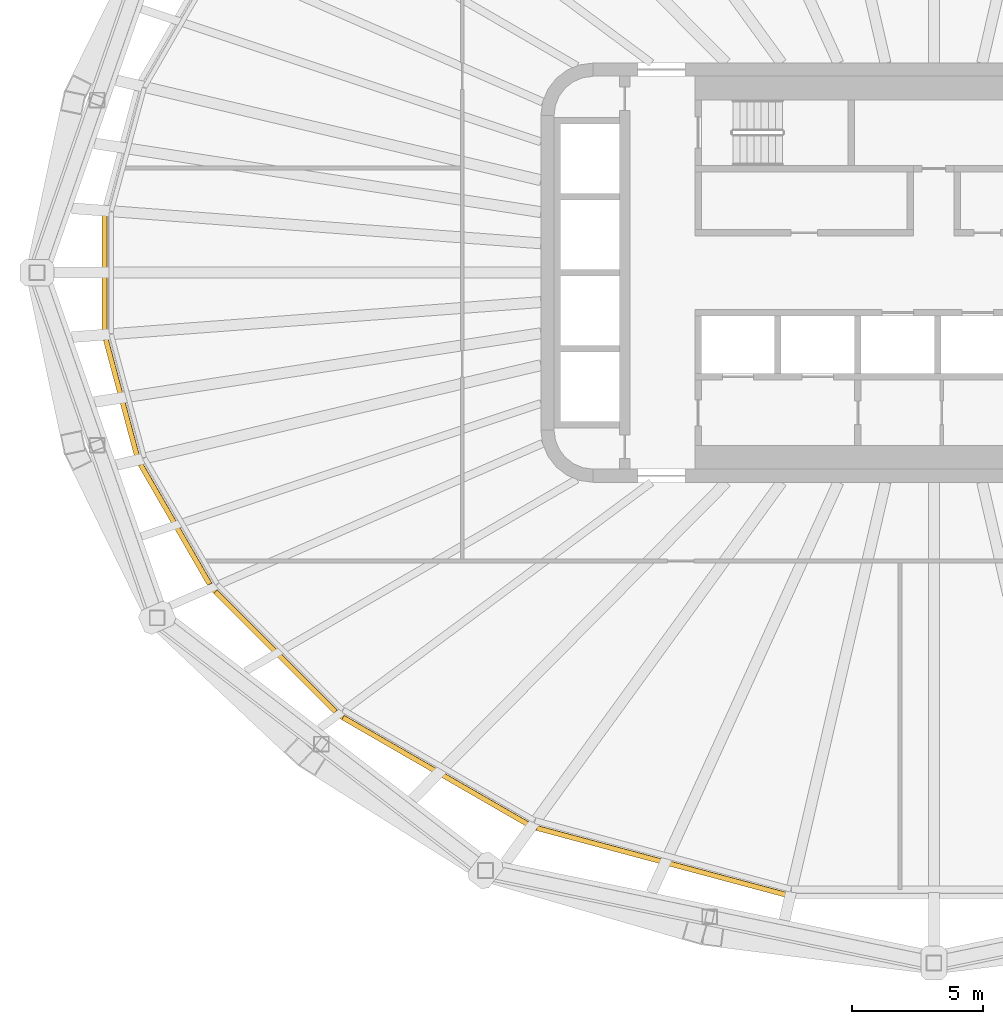
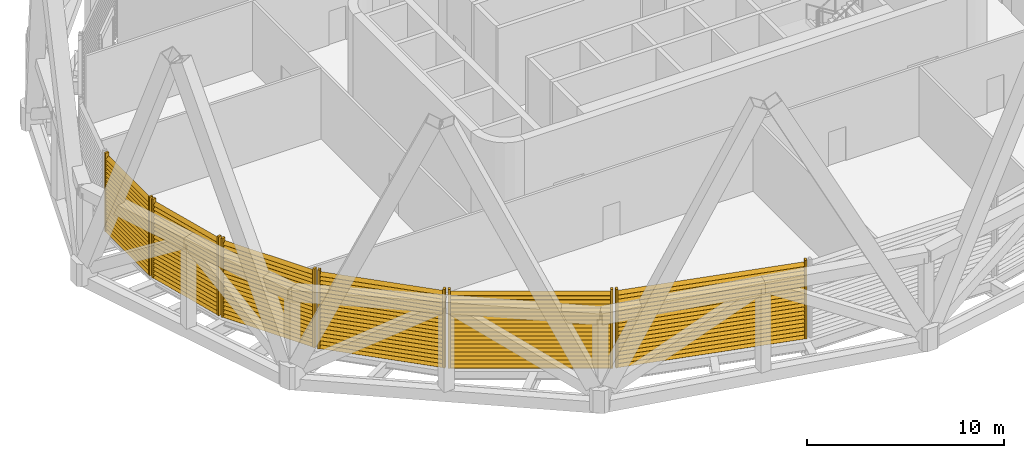
# One storey, part 12 of 18: 6 shading devices.
"""IFC4 building model written with IfcOpenShell, lengths in metres."""

import ifcopenshell
import ifcopenshell.guid

model = None  # the IFC model being written
_history = None  # IfcOwnerHistory: only IFC2X3 demands one
_inside = {}  # id of a spatial element -> (the spatial element, [elements in it])
_under = {}  # id of a project, library or spatial element -> (it, [spatial elements below it])
_declared = {}  # id of a project -> (the project, [libraries it declares])
_typed = {}  # id of a type object -> (the type object, [elements of that type])
_made_of = {}  # id of a material, layer set ... -> (it, [elements and type objects made of it])


def new_model(schema):
    """Start an empty IFC model of exactly this schema.

    Asked for "IFC4X3", IfcOpenShell would pick the latest addendum, in which some entities
    have other attributes; the version numbers below select the first issue.
    IFC2X3 requires an IfcOwnerHistory on every rooted entity: one is made here for all.
    """
    global model, _history
    if schema == "IFC4X3":
        model = ifcopenshell.file(schema_version=(4, 3, 0, 0))
    else:
        model = ifcopenshell.file(schema=schema)
    _inside.clear()
    _under.clear()
    _declared.clear()
    _typed.clear()
    _made_of.clear()
    _history = None
    if model.schema == "IFC2X3":
        org = make("IfcOrganization", Name="unknown")
        user = make(
            "IfcPersonAndOrganization",
            ThePerson=make("IfcPerson", FamilyName="unknown"),
            TheOrganization=org,
        )
        app = make(
            "IfcApplication",
            ApplicationDeveloper=org,
            Version="unknown",
            ApplicationFullName="unknown",
            ApplicationIdentifier="unknown",
        )
        _history = make(
            "IfcOwnerHistory",
            OwningUser=user,
            OwningApplication=app,
            ChangeAction="ADDED",
            CreationDate=0,
        )
    return model


def make(cls, **values):
    """One entity of the class cls with the attributes given. An attribute that is None is left unset."""
    return model.create_entity(
        cls, **{name: value for name, value in values.items() if value is not None}
    )


def rooted(cls, **values):
    """An entity with a GlobalId (a new one), such as an element, a storey or a relation."""
    return make(cls, GlobalId=ifcopenshell.guid.new(), OwnerHistory=_history, **values)


def si_unit(unit_type, name, prefix=None):
    """IfcSIUnit, for example si_unit("LENGTHUNIT", "METRE", prefix="MILLI")."""
    return make("IfcSIUnit", UnitType=unit_type, Prefix=prefix, Name=name)


def assignment(units):
    """IfcUnitAssignment: the units of a project."""
    return None if units is None else make("IfcUnitAssignment", Units=units)


def point(xyz):
    """IfcCartesianPoint."""
    return None if xyz is None else make("IfcCartesianPoint", Coordinates=xyz)


def direction(xyz):
    """IfcDirection."""
    return None if xyz is None else make("IfcDirection", DirectionRatios=xyz)


def frame(location, z_axis=None, x_axis=None):
    """IfcAxis2Placement3D, a coordinate frame: its origin and axes. An axis left out is left unset."""
    return make(
        "IfcAxis2Placement3D",
        Location=point(location),
        Axis=direction(z_axis),
        RefDirection=direction(x_axis),
    )


def frame_2d(location, x_axis=None):
    """IfcAxis2Placement2D, a coordinate frame in the plane: its origin and x axis."""
    return make(
        "IfcAxis2Placement2D", Location=point(location), RefDirection=direction(x_axis)
    )


def origin():
    """The frame at (0, 0, 0) with its axes left unset."""
    return frame((0.0, 0.0, 0.0))


def origin_2d():
    """The frame at (0, 0) in the plane with its x axis left unset."""
    return frame_2d((0.0, 0.0))


def place(relative_to, where):
    """IfcLocalPlacement: puts the frame where relative to a parent placement (None: the world)."""
    return make(
        "IfcLocalPlacement", PlacementRelTo=relative_to, RelativePlacement=where
    )


def context(
    kind, dimensions, precision=None, world=None, true_north=None, identifier=None
):
    """IfcGeometricRepresentationContext, for example the 3D "Model" context."""
    return make(
        "IfcGeometricRepresentationContext",
        ContextIdentifier=identifier,
        ContextType=kind,
        CoordinateSpaceDimension=dimensions,
        Precision=precision,
        WorldCoordinateSystem=world,
        TrueNorth=true_north,
    )


def subcontext(parent, identifier, kind, view, scale=None):
    """IfcGeometricRepresentationSubContext, for example "Body" below "Model"."""
    return make(
        "IfcGeometricRepresentationSubContext",
        ContextIdentifier=identifier,
        ContextType=kind,
        ParentContext=parent,
        TargetScale=scale,
        TargetView=view,
    )


def project(units=None, contexts=None):
    """IfcProject with its units and contexts."""
    return rooted(
        "IfcProject",
        Name="project",
        RepresentationContexts=contexts,
        UnitsInContext=assignment(units),
    )


def spatial(cls, under=None, at=None, **own):
    """A site, building, storey or space (cls), placed at a placement, below another one or the project."""
    s = rooted(cls, ObjectPlacement=at, **own)
    if under is not None:
        _under.setdefault(under.id(), (under, []))[1].append(s)
    return s


def profile(cls, at=None, kind="AREA", **sizes):
    """A parametric profile (cls). Its sizes go by their IFC names, for example OverallWidth=200.0."""
    return make(cls, ProfileType=kind, Position=at, **sizes)


def rectangle(**sizes):
    """IfcRectangleProfileDef."""
    return profile("IfcRectangleProfileDef", **sizes)


def extrude(swept, where, along, depth):
    """IfcExtrudedAreaSolid: the profile swept, set in the frame where, extruded along a direction by depth."""
    return make(
        "IfcExtrudedAreaSolid",
        SweptArea=swept,
        Position=where,
        ExtrudedDirection=direction(along),
        Depth=depth,
    )


def shape(context_of_items, identifier, shape_type, items):
    """IfcShapeRepresentation: the items that make up one representation, for example the "Body"."""
    return make(
        "IfcShapeRepresentation",
        ContextOfItems=context_of_items,
        RepresentationIdentifier=identifier,
        RepresentationType=shape_type,
        Items=items,
    )


def material(Name=None, Category=None):
    """IfcMaterial."""
    return make("IfcMaterial", Name=Name, Category=Category)


def made_of(thing, what):
    """Note that an element or type object is made of a material, layer set ...; save() writes the relation."""
    if what is not None:
        _made_of.setdefault(what.id(), (what, []))[1].append(thing)
    return thing


def type_object(cls, material=None, **own):
    """A type object (cls), such as IfcWallType, which elements share."""
    return made_of(rooted(cls, **own), material)


def element(
    cls,
    number,
    at=None,
    inside=None,
    cuts=None,
    type_object=None,
    material=None,
    context=None,
    identifier="Body",
    shape_type=None,
    held_by="IfcProductDefinitionShape",
    body=None,
    shapes=None,
    **own,
):
    """One element of the class cls, such as IfcWall. Its Tag is "e" and its number.

    at: its placement. inside: the storey or other place that contains it. cuts: it is an
    opening in that element (IfcRelVoidsElement). A single representation is given by context,
    identifier, shape_type and body (its items); several are given by shapes. held_by: the class
    of the entity that holds the representations. save() writes the other relations.
    """
    e = rooted(cls, Tag="e%d" % number, ObjectPlacement=at, **own)
    if body is not None:
        shapes = [shape(context, identifier, shape_type, body)]
    if shapes is not None:
        e.Representation = make(held_by, Representations=shapes)
    if inside is not None:
        _inside.setdefault(inside.id(), (inside, []))[1].append(e)
    if cuts is not None:
        rooted(
            "IfcRelVoidsElement", RelatingBuildingElement=cuts, RelatedOpeningElement=e
        )
    if type_object is not None:
        _typed.setdefault(type_object.id(), (type_object, []))[1].append(e)
    return made_of(e, material)


def aggregate(whole, parts):
    """IfcRelAggregates: a whole, such as a stair, and the parts it consists of."""
    return rooted("IfcRelAggregates", RelatingObject=whole, RelatedObjects=parts)


def save(model, path):
    """Write the relations noted so far, then the file.

    IfcRelAggregates (storeys below a building ...), IfcRelContainedInSpatialStructure (elements
    in a storey), IfcRelDefinesByType, IfcRelAssociatesMaterial and IfcRelDeclares: one each for
    every whole, place, type object, material and project.
    """
    for whole, parts in _under.values():
        aggregate(whole, parts)
    for where, things in _inside.values():
        rooted(
            "IfcRelContainedInSpatialStructure",
            RelatedElements=things,
            RelatingStructure=where,
        )
    for kind, things in _typed.values():
        rooted("IfcRelDefinesByType", RelatedObjects=things, RelatingType=kind)
    for what, things in _made_of.values():
        rooted("IfcRelAssociatesMaterial", RelatedObjects=things, RelatingMaterial=what)
    for by, libraries in _declared.values():
        rooted("IfcRelDeclares", RelatingContext=by, RelatedDefinitions=libraries)
    model.write(path)


model = new_model("IFC4")

# Units and contexts
model_context = context("Model", 3, precision=1e-05, world=origin(), true_north=direction((0.0, 1.0)))
body_context = subcontext(model_context, "Body", "Model", "MODEL_VIEW")
ifc_project = project(units=[si_unit("LENGTHUNIT", "METRE"), si_unit("AREAUNIT", "SQUARE_METRE"), si_unit("VOLUMEUNIT", "CUBIC_METRE"), si_unit("PLANEANGLEUNIT", "RADIAN"), si_unit("MASSUNIT", "GRAM", prefix="KILO")], contexts=[model_context])

# Site, building, storey
site_placement = place(None, origin())
site = spatial("IfcSite", under=ifc_project, at=site_placement, CompositionType="ELEMENT")
building_placement = place(site_placement, origin())
building = spatial("IfcBuilding", under=site, at=building_placement, Name="Sahrelin Media Tower", CompositionType="ELEMENT")
storey_placement = place(building_placement, frame((0.0, 0.0, 148.199951171875)))
storey = spatial("IfcBuildingStorey", under=building, at=storey_placement, Name="L30", CompositionType="ELEMENT", Elevation=148.199951171875)

# Shading devices
ifc_material = material(Name="Champagne anodised aluminium 6063-T6", Category="aluminium")
shading_device_type = type_object("IfcShadingDeviceType", Name="Sand-rejection louvre band", PredefinedType="USERDEFINED", material=ifc_material)
shading_device_1_placement = place(storey_placement, frame((-31.546630859375, 0.0, 0.0), z_axis=(0.0, 0.0, 1.0), x_axis=(0.0, 1.0, 0.0)))
element("IfcShadingDevice", 1, at=shading_device_1_placement, inside=storey, type_object=shading_device_type, Name="L30:LOUVRE:L30-12", ObjectType="LOUVRE", PredefinedType="USERDEFINED", context=body_context, shape_type="SweptSolid", body=[
    extrude(rectangle(XDim=0.1201171875, YDim=0.199951171875, at=origin_2d()), frame((2.248291015625, 0.10009765625, 0.050048828125), z_axis=(0.0, 0.0, 1.0), x_axis=(1.0, 0.0, 0.0)), (0.0, 0.0, 1.0), 4.8984375),
    extrude(rectangle(XDim=0.1201171875, YDim=0.199951171875, at=origin_2d()), frame((-2.248291015625, 0.10009765625, 0.050048828125), z_axis=(0.0, 0.0, 1.0), x_axis=(1.0, 0.0, 0.0)), (0.0, 0.0, 1.0), 4.8984375),
    extrude(rectangle(XDim=0.25, YDim=0.02001953125, at=origin_2d()), frame((2.188232421875, 0.10009765625, 0.14990234375), z_axis=(-1.0, 0.0, 0.0), x_axis=(0.0, -0.766044443119, 0.642787609687)), (0.0, 0.0, 1.0), 4.37646484375),
    extrude(rectangle(XDim=0.25, YDim=0.02001953125, at=origin_2d()), frame((2.188232421875, 0.10009765625, 0.39990234375), z_axis=(-1.0, 0.0, 0.0), x_axis=(0.0, -0.766044443119, 0.642787609687)), (0.0, 0.0, 1.0), 4.37646484375),
    extrude(rectangle(XDim=0.25, YDim=0.02001953125, at=origin_2d()), frame((2.188232421875, 0.10009765625, 0.64990234375), z_axis=(-1.0, 0.0, 0.0), x_axis=(0.0, -0.766044443119, 0.642787609687)), (0.0, 0.0, 1.0), 4.37646484375),
    extrude(rectangle(XDim=0.25, YDim=0.02001953125, at=origin_2d()), frame((2.188232421875, 0.10009765625, 0.89990234375), z_axis=(-1.0, 0.0, 0.0), x_axis=(0.0, -0.766044443119, 0.642787609687)), (0.0, 0.0, 1.0), 4.37646484375),
    extrude(rectangle(XDim=0.25, YDim=0.02001953125, at=origin_2d()), frame((2.188232421875, 0.10009765625, 1.14990234375), z_axis=(-1.0, 0.0, 0.0), x_axis=(0.0, -0.766044443119, 0.642787609687)), (0.0, 0.0, 1.0), 4.37646484375),
    extrude(rectangle(XDim=0.25, YDim=0.02001953125, at=origin_2d()), frame((2.188232421875, 0.10009765625, 1.39990234375), z_axis=(-1.0, 0.0, 0.0), x_axis=(0.0, -0.766044443119, 0.642787609687)), (0.0, 0.0, 1.0), 4.37646484375),
    extrude(rectangle(XDim=0.25, YDim=0.02001953125, at=origin_2d()), frame((2.188232421875, 0.10009765625, 1.64990234375), z_axis=(-1.0, 0.0, 0.0), x_axis=(0.0, -0.766044443119, 0.642787609687)), (0.0, 0.0, 1.0), 4.37646484375),
    extrude(rectangle(XDim=0.25, YDim=0.02001953125, at=origin_2d()), frame((2.188232421875, 0.10009765625, 1.89990234375), z_axis=(-1.0, 0.0, 0.0), x_axis=(0.0, -0.766044443119, 0.642787609687)), (0.0, 0.0, 1.0), 4.37646484375),
    extrude(rectangle(XDim=0.25, YDim=0.02001953125, at=origin_2d()), frame((2.188232421875, 0.10009765625, 2.14990234375), z_axis=(-1.0, 0.0, 0.0), x_axis=(0.0, -0.766044443119, 0.642787609687)), (0.0, 0.0, 1.0), 4.37646484375),
    extrude(rectangle(XDim=0.25, YDim=0.02001953125, at=origin_2d()), frame((2.188232421875, 0.10009765625, 2.39990234375), z_axis=(-1.0, 0.0, 0.0), x_axis=(0.0, -0.766044443119, 0.642787609687)), (0.0, 0.0, 1.0), 4.37646484375),
    extrude(rectangle(XDim=0.25, YDim=0.02001953125, at=origin_2d()), frame((2.188232421875, 0.10009765625, 2.64990234375), z_axis=(-1.0, 0.0, 0.0), x_axis=(0.0, -0.766044443119, 0.642787609687)), (0.0, 0.0, 1.0), 4.37646484375),
    extrude(rectangle(XDim=0.25, YDim=0.02001953125, at=origin_2d()), frame((2.188232421875, 0.10009765625, 2.89990234375), z_axis=(-1.0, 0.0, 0.0), x_axis=(0.0, -0.766044443119, 0.642787609687)), (0.0, 0.0, 1.0), 4.37646484375),
    extrude(rectangle(XDim=0.25, YDim=0.02001953125, at=origin_2d()), frame((2.188232421875, 0.10009765625, 3.14990234375), z_axis=(-1.0, 0.0, 0.0), x_axis=(0.0, -0.766044443119, 0.642787609687)), (0.0, 0.0, 1.0), 4.37646484375),
    extrude(rectangle(XDim=0.25, YDim=0.02001953125, at=origin_2d()), frame((2.188232421875, 0.10009765625, 3.39990234375), z_axis=(-1.0, 0.0, 0.0), x_axis=(0.0, -0.766044443119, 0.642787609687)), (0.0, 0.0, 1.0), 4.37646484375),
    extrude(rectangle(XDim=0.25, YDim=0.02001953125, at=origin_2d()), frame((2.188232421875, 0.10009765625, 3.64990234375), z_axis=(-1.0, 0.0, 0.0), x_axis=(0.0, -0.766044443119, 0.642787609687)), (0.0, 0.0, 1.0), 4.37646484375),
    extrude(rectangle(XDim=0.25, YDim=0.02001953125, at=origin_2d()), frame((2.188232421875, 0.10009765625, 3.89990234375), z_axis=(-1.0, 0.0, 0.0), x_axis=(0.0, -0.766044443119, 0.642787609687)), (0.0, 0.0, 1.0), 4.37646484375),
    extrude(rectangle(XDim=0.25, YDim=0.02001953125, at=origin_2d()), frame((2.188232421875, 0.10009765625, 4.14990234375), z_axis=(-1.0, 0.0, 0.0), x_axis=(0.0, -0.766044443119, 0.642787609687)), (0.0, 0.0, 1.0), 4.37646484375),
    extrude(rectangle(XDim=0.25, YDim=0.02001953125, at=origin_2d()), frame((2.188232421875, 0.10009765625, 4.39990234375), z_axis=(-1.0, 0.0, 0.0), x_axis=(0.0, -0.766044443119, 0.642787609687)), (0.0, 0.0, 1.0), 4.37646484375),
    extrude(rectangle(XDim=0.25, YDim=0.02001953125, at=origin_2d()), frame((2.188232421875, 0.10009765625, 4.64990234375), z_axis=(-1.0, 0.0, 0.0), x_axis=(0.0, -0.766044443119, 0.642787609687)), (0.0, 0.0, 1.0), 4.37646484375),
])
shading_device_2_placement = place(storey_placement, frame((-30.908203125, -4.740478515625, 0.0), z_axis=(0.0, 0.0, 1.0), x_axis=(-0.258807731996, 0.965928857556, 0.0)))
element("IfcShadingDevice", 2, at=shading_device_2_placement, inside=storey, type_object=shading_device_type, Name="L30:LOUVRE:L30-13", ObjectType="LOUVRE", PredefinedType="USERDEFINED", context=body_context, shape_type="SweptSolid", body=[
    extrude(rectangle(XDim=0.1201171875, YDim=0.199951171875, at=origin_2d()), frame((2.356201171875, 0.10009765625, 0.050048828125), z_axis=(0.0, 0.0, 1.0), x_axis=(1.0, 0.0, 0.0)), (0.0, 0.0, 1.0), 4.8984375),
    extrude(rectangle(XDim=0.1201171875, YDim=0.199951171875, at=origin_2d()), frame((-2.356201171875, 0.10009765625, 0.050048828125), z_axis=(0.0, 0.0, 1.0), x_axis=(1.0, 0.0, 0.0)), (0.0, 0.0, 1.0), 4.8984375),
    extrude(rectangle(XDim=0.25, YDim=0.02001953125, at=origin_2d()), frame((2.29638671875, 0.10009765625, 0.14990234375), z_axis=(-1.0, 0.0, 0.0), x_axis=(0.0, -0.766044443119, 0.642787609687)), (0.0, 0.0, 1.0), 4.5927734375),
    extrude(rectangle(XDim=0.25, YDim=0.02001953125, at=origin_2d()), frame((2.29638671875, 0.10009765625, 0.39990234375), z_axis=(-1.0, 0.0, 0.0), x_axis=(0.0, -0.766044443119, 0.642787609687)), (0.0, 0.0, 1.0), 4.5927734375),
    extrude(rectangle(XDim=0.25, YDim=0.02001953125, at=origin_2d()), frame((2.29638671875, 0.10009765625, 0.64990234375), z_axis=(-1.0, 0.0, 0.0), x_axis=(0.0, -0.766044443119, 0.642787609687)), (0.0, 0.0, 1.0), 4.5927734375),
    extrude(rectangle(XDim=0.25, YDim=0.02001953125, at=origin_2d()), frame((2.29638671875, 0.10009765625, 0.89990234375), z_axis=(-1.0, 0.0, 0.0), x_axis=(0.0, -0.766044443119, 0.642787609687)), (0.0, 0.0, 1.0), 4.5927734375),
    extrude(rectangle(XDim=0.25, YDim=0.02001953125, at=origin_2d()), frame((2.29638671875, 0.10009765625, 1.14990234375), z_axis=(-1.0, 0.0, 0.0), x_axis=(0.0, -0.766044443119, 0.642787609687)), (0.0, 0.0, 1.0), 4.5927734375),
    extrude(rectangle(XDim=0.25, YDim=0.02001953125, at=origin_2d()), frame((2.29638671875, 0.10009765625, 1.39990234375), z_axis=(-1.0, 0.0, 0.0), x_axis=(0.0, -0.766044443119, 0.642787609687)), (0.0, 0.0, 1.0), 4.5927734375),
    extrude(rectangle(XDim=0.25, YDim=0.02001953125, at=origin_2d()), frame((2.29638671875, 0.10009765625, 1.64990234375), z_axis=(-1.0, 0.0, 0.0), x_axis=(0.0, -0.766044443119, 0.642787609687)), (0.0, 0.0, 1.0), 4.5927734375),
    extrude(rectangle(XDim=0.25, YDim=0.02001953125, at=origin_2d()), frame((2.29638671875, 0.10009765625, 1.89990234375), z_axis=(-1.0, 0.0, 0.0), x_axis=(0.0, -0.766044443119, 0.642787609687)), (0.0, 0.0, 1.0), 4.5927734375),
    extrude(rectangle(XDim=0.25, YDim=0.02001953125, at=origin_2d()), frame((2.29638671875, 0.10009765625, 2.14990234375), z_axis=(-1.0, 0.0, 0.0), x_axis=(0.0, -0.766044443119, 0.642787609687)), (0.0, 0.0, 1.0), 4.5927734375),
    extrude(rectangle(XDim=0.25, YDim=0.02001953125, at=origin_2d()), frame((2.29638671875, 0.10009765625, 2.39990234375), z_axis=(-1.0, 0.0, 0.0), x_axis=(0.0, -0.766044443119, 0.642787609687)), (0.0, 0.0, 1.0), 4.5927734375),
    extrude(rectangle(XDim=0.25, YDim=0.02001953125, at=origin_2d()), frame((2.29638671875, 0.10009765625, 2.64990234375), z_axis=(-1.0, 0.0, 0.0), x_axis=(0.0, -0.766044443119, 0.642787609687)), (0.0, 0.0, 1.0), 4.5927734375),
    extrude(rectangle(XDim=0.25, YDim=0.02001953125, at=origin_2d()), frame((2.29638671875, 0.10009765625, 2.89990234375), z_axis=(-1.0, 0.0, 0.0), x_axis=(0.0, -0.766044443119, 0.642787609687)), (0.0, 0.0, 1.0), 4.5927734375),
    extrude(rectangle(XDim=0.25, YDim=0.02001953125, at=origin_2d()), frame((2.29638671875, 0.10009765625, 3.14990234375), z_axis=(-1.0, 0.0, 0.0), x_axis=(0.0, -0.766044443119, 0.642787609687)), (0.0, 0.0, 1.0), 4.5927734375),
    extrude(rectangle(XDim=0.25, YDim=0.02001953125, at=origin_2d()), frame((2.29638671875, 0.10009765625, 3.39990234375), z_axis=(-1.0, 0.0, 0.0), x_axis=(0.0, -0.766044443119, 0.642787609687)), (0.0, 0.0, 1.0), 4.5927734375),
    extrude(rectangle(XDim=0.25, YDim=0.02001953125, at=origin_2d()), frame((2.29638671875, 0.10009765625, 3.64990234375), z_axis=(-1.0, 0.0, 0.0), x_axis=(0.0, -0.766044443119, 0.642787609687)), (0.0, 0.0, 1.0), 4.5927734375),
    extrude(rectangle(XDim=0.25, YDim=0.02001953125, at=origin_2d()), frame((2.29638671875, 0.10009765625, 3.89990234375), z_axis=(-1.0, 0.0, 0.0), x_axis=(0.0, -0.766044443119, 0.642787609687)), (0.0, 0.0, 1.0), 4.5927734375),
    extrude(rectangle(XDim=0.25, YDim=0.02001953125, at=origin_2d()), frame((2.29638671875, 0.10009765625, 4.14990234375), z_axis=(-1.0, 0.0, 0.0), x_axis=(0.0, -0.766044443119, 0.642787609687)), (0.0, 0.0, 1.0), 4.5927734375),
    extrude(rectangle(XDim=0.25, YDim=0.02001953125, at=origin_2d()), frame((2.29638671875, 0.10009765625, 4.39990234375), z_axis=(-1.0, 0.0, 0.0), x_axis=(0.0, -0.766044443119, 0.642787609687)), (0.0, 0.0, 1.0), 4.5927734375),
    extrude(rectangle(XDim=0.25, YDim=0.02001953125, at=origin_2d()), frame((2.29638671875, 0.10009765625, 4.64990234375), z_axis=(-1.0, 0.0, 0.0), x_axis=(0.0, -0.766044443119, 0.642787609687)), (0.0, 0.0, 1.0), 4.5927734375),
])
shading_device_3_placement = place(storey_placement, frame((-28.866943359375, -9.552734375, 0.0), z_axis=(0.0, 0.0, 1.0), x_axis=(-0.500011000363, 0.866019052629, 0.0)))
element("IfcShadingDevice", 3, at=shading_device_3_placement, inside=storey, type_object=shading_device_type, Name="L30:LOUVRE:L30-14", ObjectType="LOUVRE", PredefinedType="USERDEFINED", context=body_context, shape_type="SweptSolid", body=[
    extrude(rectangle(XDim=0.1201171875, YDim=0.199951171875, at=origin_2d()), frame((2.69580078125, 0.10009765625, 0.050048828125), z_axis=(0.0, 0.0, 1.0), x_axis=(1.0, 0.0, 0.0)), (0.0, 0.0, 1.0), 4.8984375),
    extrude(rectangle(XDim=0.1201171875, YDim=0.199951171875, at=origin_2d()), frame((-2.69580078125, 0.10009765625, 0.050048828125), z_axis=(0.0, 0.0, 1.0), x_axis=(1.0, 0.0, 0.0)), (0.0, 0.0, 1.0), 4.8984375),
    extrude(rectangle(XDim=0.25, YDim=0.02001953125, at=origin_2d()), frame((2.635986328125, 0.10009765625, 0.14990234375), z_axis=(-1.0, 0.0, 0.0), x_axis=(0.0, -0.766044443119, 0.642787609687)), (0.0, 0.0, 1.0), 5.27197265625),
    extrude(rectangle(XDim=0.25, YDim=0.02001953125, at=origin_2d()), frame((2.635986328125, 0.10009765625, 0.39990234375), z_axis=(-1.0, 0.0, 0.0), x_axis=(0.0, -0.766044443119, 0.642787609687)), (0.0, 0.0, 1.0), 5.27197265625),
    extrude(rectangle(XDim=0.25, YDim=0.02001953125, at=origin_2d()), frame((2.635986328125, 0.10009765625, 0.64990234375), z_axis=(-1.0, 0.0, 0.0), x_axis=(0.0, -0.766044443119, 0.642787609687)), (0.0, 0.0, 1.0), 5.27197265625),
    extrude(rectangle(XDim=0.25, YDim=0.02001953125, at=origin_2d()), frame((2.635986328125, 0.10009765625, 0.89990234375), z_axis=(-1.0, 0.0, 0.0), x_axis=(0.0, -0.766044443119, 0.642787609687)), (0.0, 0.0, 1.0), 5.27197265625),
    extrude(rectangle(XDim=0.25, YDim=0.02001953125, at=origin_2d()), frame((2.635986328125, 0.10009765625, 1.14990234375), z_axis=(-1.0, 0.0, 0.0), x_axis=(0.0, -0.766044443119, 0.642787609687)), (0.0, 0.0, 1.0), 5.27197265625),
    extrude(rectangle(XDim=0.25, YDim=0.02001953125, at=origin_2d()), frame((2.635986328125, 0.10009765625, 1.39990234375), z_axis=(-1.0, 0.0, 0.0), x_axis=(0.0, -0.766044443119, 0.642787609687)), (0.0, 0.0, 1.0), 5.27197265625),
    extrude(rectangle(XDim=0.25, YDim=0.02001953125, at=origin_2d()), frame((2.635986328125, 0.10009765625, 1.64990234375), z_axis=(-1.0, 0.0, 0.0), x_axis=(0.0, -0.766044443119, 0.642787609687)), (0.0, 0.0, 1.0), 5.27197265625),
    extrude(rectangle(XDim=0.25, YDim=0.02001953125, at=origin_2d()), frame((2.635986328125, 0.10009765625, 1.89990234375), z_axis=(-1.0, 0.0, 0.0), x_axis=(0.0, -0.766044443119, 0.642787609687)), (0.0, 0.0, 1.0), 5.27197265625),
    extrude(rectangle(XDim=0.25, YDim=0.02001953125, at=origin_2d()), frame((2.635986328125, 0.10009765625, 2.14990234375), z_axis=(-1.0, 0.0, 0.0), x_axis=(0.0, -0.766044443119, 0.642787609687)), (0.0, 0.0, 1.0), 5.27197265625),
    extrude(rectangle(XDim=0.25, YDim=0.02001953125, at=origin_2d()), frame((2.635986328125, 0.10009765625, 2.39990234375), z_axis=(-1.0, 0.0, 0.0), x_axis=(0.0, -0.766044443119, 0.642787609687)), (0.0, 0.0, 1.0), 5.27197265625),
    extrude(rectangle(XDim=0.25, YDim=0.02001953125, at=origin_2d()), frame((2.635986328125, 0.10009765625, 2.64990234375), z_axis=(-1.0, 0.0, 0.0), x_axis=(0.0, -0.766044443119, 0.642787609687)), (0.0, 0.0, 1.0), 5.27197265625),
    extrude(rectangle(XDim=0.25, YDim=0.02001953125, at=origin_2d()), frame((2.635986328125, 0.10009765625, 2.89990234375), z_axis=(-1.0, 0.0, 0.0), x_axis=(0.0, -0.766044443119, 0.642787609687)), (0.0, 0.0, 1.0), 5.27197265625),
    extrude(rectangle(XDim=0.25, YDim=0.02001953125, at=origin_2d()), frame((2.635986328125, 0.10009765625, 3.14990234375), z_axis=(-1.0, 0.0, 0.0), x_axis=(0.0, -0.766044443119, 0.642787609687)), (0.0, 0.0, 1.0), 5.27197265625),
    extrude(rectangle(XDim=0.25, YDim=0.02001953125, at=origin_2d()), frame((2.635986328125, 0.10009765625, 3.39990234375), z_axis=(-1.0, 0.0, 0.0), x_axis=(0.0, -0.766044443119, 0.642787609687)), (0.0, 0.0, 1.0), 5.27197265625),
    extrude(rectangle(XDim=0.25, YDim=0.02001953125, at=origin_2d()), frame((2.635986328125, 0.10009765625, 3.64990234375), z_axis=(-1.0, 0.0, 0.0), x_axis=(0.0, -0.766044443119, 0.642787609687)), (0.0, 0.0, 1.0), 5.27197265625),
    extrude(rectangle(XDim=0.25, YDim=0.02001953125, at=origin_2d()), frame((2.635986328125, 0.10009765625, 3.89990234375), z_axis=(-1.0, 0.0, 0.0), x_axis=(0.0, -0.766044443119, 0.642787609687)), (0.0, 0.0, 1.0), 5.27197265625),
    extrude(rectangle(XDim=0.25, YDim=0.02001953125, at=origin_2d()), frame((2.635986328125, 0.10009765625, 4.14990234375), z_axis=(-1.0, 0.0, 0.0), x_axis=(0.0, -0.766044443119, 0.642787609687)), (0.0, 0.0, 1.0), 5.27197265625),
    extrude(rectangle(XDim=0.25, YDim=0.02001953125, at=origin_2d()), frame((2.635986328125, 0.10009765625, 4.39990234375), z_axis=(-1.0, 0.0, 0.0), x_axis=(0.0, -0.766044443119, 0.642787609687)), (0.0, 0.0, 1.0), 5.27197265625),
    extrude(rectangle(XDim=0.25, YDim=0.02001953125, at=origin_2d()), frame((2.635986328125, 0.10009765625, 4.64990234375), z_axis=(-1.0, 0.0, 0.0), x_axis=(0.0, -0.766044443119, 0.642787609687)), (0.0, 0.0, 1.0), 5.27197265625),
])
shading_device_4_placement = place(storey_placement, frame((-25.05419921875, -14.392578125, 0.0), z_axis=(0.0, 0.0, 1.0), x_axis=(-0.707106781187, 0.707106781187, 0.0)))
element("IfcShadingDevice", 4, at=shading_device_4_placement, inside=storey, type_object=shading_device_type, Name="L30:LOUVRE:L30-15", ObjectType="LOUVRE", PredefinedType="USERDEFINED", context=body_context, shape_type="SweptSolid", body=[
    extrude(rectangle(XDim=0.1201171875, YDim=0.199951171875, at=origin_2d()), frame((3.298095703125, 0.10009765625, 0.050048828125), z_axis=(0.0, 0.0, 1.0), x_axis=(1.0, 0.0, 0.0)), (0.0, 0.0, 1.0), 4.8984375),
    extrude(rectangle(XDim=0.1201171875, YDim=0.199951171875, at=origin_2d()), frame((-3.298095703125, 0.10009765625, 0.050048828125), z_axis=(0.0, 0.0, 1.0), x_axis=(1.0, 0.0, 0.0)), (0.0, 0.0, 1.0), 4.8984375),
    extrude(rectangle(XDim=0.25, YDim=0.02001953125, at=origin_2d()), frame((3.23828125, 0.10009765625, 0.14990234375), z_axis=(-1.0, 0.0, 0.0), x_axis=(0.0, -0.766044443119, 0.642787609687)), (0.0, 0.0, 1.0), 6.4765625),
    extrude(rectangle(XDim=0.25, YDim=0.02001953125, at=origin_2d()), frame((3.23828125, 0.10009765625, 0.39990234375), z_axis=(-1.0, 0.0, 0.0), x_axis=(0.0, -0.766044443119, 0.642787609687)), (0.0, 0.0, 1.0), 6.4765625),
    extrude(rectangle(XDim=0.25, YDim=0.02001953125, at=origin_2d()), frame((3.23828125, 0.10009765625, 0.64990234375), z_axis=(-1.0, 0.0, 0.0), x_axis=(0.0, -0.766044443119, 0.642787609687)), (0.0, 0.0, 1.0), 6.4765625),
    extrude(rectangle(XDim=0.25, YDim=0.02001953125, at=origin_2d()), frame((3.23828125, 0.10009765625, 0.89990234375), z_axis=(-1.0, 0.0, 0.0), x_axis=(0.0, -0.766044443119, 0.642787609687)), (0.0, 0.0, 1.0), 6.4765625),
    extrude(rectangle(XDim=0.25, YDim=0.02001953125, at=origin_2d()), frame((3.23828125, 0.10009765625, 1.14990234375), z_axis=(-1.0, 0.0, 0.0), x_axis=(0.0, -0.766044443119, 0.642787609687)), (0.0, 0.0, 1.0), 6.4765625),
    extrude(rectangle(XDim=0.25, YDim=0.02001953125, at=origin_2d()), frame((3.23828125, 0.10009765625, 1.39990234375), z_axis=(-1.0, 0.0, 0.0), x_axis=(0.0, -0.766044443119, 0.642787609687)), (0.0, 0.0, 1.0), 6.4765625),
    extrude(rectangle(XDim=0.25, YDim=0.02001953125, at=origin_2d()), frame((3.23828125, 0.10009765625, 1.64990234375), z_axis=(-1.0, 0.0, 0.0), x_axis=(0.0, -0.766044443119, 0.642787609687)), (0.0, 0.0, 1.0), 6.4765625),
    extrude(rectangle(XDim=0.25, YDim=0.02001953125, at=origin_2d()), frame((3.23828125, 0.10009765625, 1.89990234375), z_axis=(-1.0, 0.0, 0.0), x_axis=(0.0, -0.766044443119, 0.642787609687)), (0.0, 0.0, 1.0), 6.4765625),
    extrude(rectangle(XDim=0.25, YDim=0.02001953125, at=origin_2d()), frame((3.23828125, 0.10009765625, 2.14990234375), z_axis=(-1.0, 0.0, 0.0), x_axis=(0.0, -0.766044443119, 0.642787609687)), (0.0, 0.0, 1.0), 6.4765625),
    extrude(rectangle(XDim=0.25, YDim=0.02001953125, at=origin_2d()), frame((3.23828125, 0.10009765625, 2.39990234375), z_axis=(-1.0, 0.0, 0.0), x_axis=(0.0, -0.766044443119, 0.642787609687)), (0.0, 0.0, 1.0), 6.4765625),
    extrude(rectangle(XDim=0.25, YDim=0.02001953125, at=origin_2d()), frame((3.23828125, 0.10009765625, 2.64990234375), z_axis=(-1.0, 0.0, 0.0), x_axis=(0.0, -0.766044443119, 0.642787609687)), (0.0, 0.0, 1.0), 6.4765625),
    extrude(rectangle(XDim=0.25, YDim=0.02001953125, at=origin_2d()), frame((3.23828125, 0.10009765625, 2.89990234375), z_axis=(-1.0, 0.0, 0.0), x_axis=(0.0, -0.766044443119, 0.642787609687)), (0.0, 0.0, 1.0), 6.4765625),
    extrude(rectangle(XDim=0.25, YDim=0.02001953125, at=origin_2d()), frame((3.23828125, 0.10009765625, 3.14990234375), z_axis=(-1.0, 0.0, 0.0), x_axis=(0.0, -0.766044443119, 0.642787609687)), (0.0, 0.0, 1.0), 6.4765625),
    extrude(rectangle(XDim=0.25, YDim=0.02001953125, at=origin_2d()), frame((3.23828125, 0.10009765625, 3.39990234375), z_axis=(-1.0, 0.0, 0.0), x_axis=(0.0, -0.766044443119, 0.642787609687)), (0.0, 0.0, 1.0), 6.4765625),
    extrude(rectangle(XDim=0.25, YDim=0.02001953125, at=origin_2d()), frame((3.23828125, 0.10009765625, 3.64990234375), z_axis=(-1.0, 0.0, 0.0), x_axis=(0.0, -0.766044443119, 0.642787609687)), (0.0, 0.0, 1.0), 6.4765625),
    extrude(rectangle(XDim=0.25, YDim=0.02001953125, at=origin_2d()), frame((3.23828125, 0.10009765625, 3.89990234375), z_axis=(-1.0, 0.0, 0.0), x_axis=(0.0, -0.766044443119, 0.642787609687)), (0.0, 0.0, 1.0), 6.4765625),
    extrude(rectangle(XDim=0.25, YDim=0.02001953125, at=origin_2d()), frame((3.23828125, 0.10009765625, 4.14990234375), z_axis=(-1.0, 0.0, 0.0), x_axis=(0.0, -0.766044443119, 0.642787609687)), (0.0, 0.0, 1.0), 6.4765625),
    extrude(rectangle(XDim=0.25, YDim=0.02001953125, at=origin_2d()), frame((3.23828125, 0.10009765625, 4.39990234375), z_axis=(-1.0, 0.0, 0.0), x_axis=(0.0, -0.766044443119, 0.642787609687)), (0.0, 0.0, 1.0), 6.4765625),
    extrude(rectangle(XDim=0.25, YDim=0.02001953125, at=origin_2d()), frame((3.23828125, 0.10009765625, 4.64990234375), z_axis=(-1.0, 0.0, 0.0), x_axis=(0.0, -0.766044443119, 0.642787609687)), (0.0, 0.0, 1.0), 6.4765625),
])
shading_device_5_placement = place(storey_placement, frame((-18.966552734375, -18.926025390625, 0.0), z_axis=(0.0, 0.0, 1.0), x_axis=(-0.866019052629, 0.500011000363, 0.0)))
element("IfcShadingDevice", 5, at=shading_device_5_placement, inside=storey, type_object=shading_device_type, Name="L30:LOUVRE:L30-16", ObjectType="LOUVRE", PredefinedType="USERDEFINED", context=body_context, shape_type="SweptSolid", body=[
    extrude(rectangle(XDim=0.1201171875, YDim=0.199951171875, at=origin_2d()), frame((4.136474609375, 0.10009765625, 0.050048828125), z_axis=(0.0, 0.0, 1.0), x_axis=(1.0, 0.0, 0.0)), (0.0, 0.0, 1.0), 4.8984375),
    extrude(rectangle(XDim=0.1201171875, YDim=0.199951171875, at=origin_2d()), frame((-4.136474609375, 0.10009765625, 0.050048828125), z_axis=(0.0, 0.0, 1.0), x_axis=(1.0, 0.0, 0.0)), (0.0, 0.0, 1.0), 4.8984375),
    extrude(rectangle(XDim=0.25, YDim=0.02001953125, at=origin_2d()), frame((4.076416015625, 0.10009765625, 0.14990234375), z_axis=(-1.0, 0.0, 0.0), x_axis=(0.0, -0.766044443119, 0.642787609687)), (0.0, 0.0, 1.0), 8.15283203125),
    extrude(rectangle(XDim=0.25, YDim=0.02001953125, at=origin_2d()), frame((4.076416015625, 0.10009765625, 0.39990234375), z_axis=(-1.0, 0.0, 0.0), x_axis=(0.0, -0.766044443119, 0.642787609687)), (0.0, 0.0, 1.0), 8.15283203125),
    extrude(rectangle(XDim=0.25, YDim=0.02001953125, at=origin_2d()), frame((4.076416015625, 0.10009765625, 0.64990234375), z_axis=(-1.0, 0.0, 0.0), x_axis=(0.0, -0.766044443119, 0.642787609687)), (0.0, 0.0, 1.0), 8.15283203125),
    extrude(rectangle(XDim=0.25, YDim=0.02001953125, at=origin_2d()), frame((4.076416015625, 0.10009765625, 0.89990234375), z_axis=(-1.0, 0.0, 0.0), x_axis=(0.0, -0.766044443119, 0.642787609687)), (0.0, 0.0, 1.0), 8.15283203125),
    extrude(rectangle(XDim=0.25, YDim=0.02001953125, at=origin_2d()), frame((4.076416015625, 0.10009765625, 1.14990234375), z_axis=(-1.0, 0.0, 0.0), x_axis=(0.0, -0.766044443119, 0.642787609687)), (0.0, 0.0, 1.0), 8.15283203125),
    extrude(rectangle(XDim=0.25, YDim=0.02001953125, at=origin_2d()), frame((4.076416015625, 0.10009765625, 1.39990234375), z_axis=(-1.0, 0.0, 0.0), x_axis=(0.0, -0.766044443119, 0.642787609687)), (0.0, 0.0, 1.0), 8.15283203125),
    extrude(rectangle(XDim=0.25, YDim=0.02001953125, at=origin_2d()), frame((4.076416015625, 0.10009765625, 1.64990234375), z_axis=(-1.0, 0.0, 0.0), x_axis=(0.0, -0.766044443119, 0.642787609687)), (0.0, 0.0, 1.0), 8.15283203125),
    extrude(rectangle(XDim=0.25, YDim=0.02001953125, at=origin_2d()), frame((4.076416015625, 0.10009765625, 1.89990234375), z_axis=(-1.0, 0.0, 0.0), x_axis=(0.0, -0.766044443119, 0.642787609687)), (0.0, 0.0, 1.0), 8.15283203125),
    extrude(rectangle(XDim=0.25, YDim=0.02001953125, at=origin_2d()), frame((4.076416015625, 0.10009765625, 2.14990234375), z_axis=(-1.0, 0.0, 0.0), x_axis=(0.0, -0.766044443119, 0.642787609687)), (0.0, 0.0, 1.0), 8.15283203125),
    extrude(rectangle(XDim=0.25, YDim=0.02001953125, at=origin_2d()), frame((4.076416015625, 0.10009765625, 2.39990234375), z_axis=(-1.0, 0.0, 0.0), x_axis=(0.0, -0.766044443119, 0.642787609687)), (0.0, 0.0, 1.0), 8.15283203125),
    extrude(rectangle(XDim=0.25, YDim=0.02001953125, at=origin_2d()), frame((4.076416015625, 0.10009765625, 2.64990234375), z_axis=(-1.0, 0.0, 0.0), x_axis=(0.0, -0.766044443119, 0.642787609687)), (0.0, 0.0, 1.0), 8.15283203125),
    extrude(rectangle(XDim=0.25, YDim=0.02001953125, at=origin_2d()), frame((4.076416015625, 0.10009765625, 2.89990234375), z_axis=(-1.0, 0.0, 0.0), x_axis=(0.0, -0.766044443119, 0.642787609687)), (0.0, 0.0, 1.0), 8.15283203125),
    extrude(rectangle(XDim=0.25, YDim=0.02001953125, at=origin_2d()), frame((4.076416015625, 0.10009765625, 3.14990234375), z_axis=(-1.0, 0.0, 0.0), x_axis=(0.0, -0.766044443119, 0.642787609687)), (0.0, 0.0, 1.0), 8.15283203125),
    extrude(rectangle(XDim=0.25, YDim=0.02001953125, at=origin_2d()), frame((4.076416015625, 0.10009765625, 3.39990234375), z_axis=(-1.0, 0.0, 0.0), x_axis=(0.0, -0.766044443119, 0.642787609687)), (0.0, 0.0, 1.0), 8.15283203125),
    extrude(rectangle(XDim=0.25, YDim=0.02001953125, at=origin_2d()), frame((4.076416015625, 0.10009765625, 3.64990234375), z_axis=(-1.0, 0.0, 0.0), x_axis=(0.0, -0.766044443119, 0.642787609687)), (0.0, 0.0, 1.0), 8.15283203125),
    extrude(rectangle(XDim=0.25, YDim=0.02001953125, at=origin_2d()), frame((4.076416015625, 0.10009765625, 3.89990234375), z_axis=(-1.0, 0.0, 0.0), x_axis=(0.0, -0.766044443119, 0.642787609687)), (0.0, 0.0, 1.0), 8.15283203125),
    extrude(rectangle(XDim=0.25, YDim=0.02001953125, at=origin_2d()), frame((4.076416015625, 0.10009765625, 4.14990234375), z_axis=(-1.0, 0.0, 0.0), x_axis=(0.0, -0.766044443119, 0.642787609687)), (0.0, 0.0, 1.0), 8.15283203125),
    extrude(rectangle(XDim=0.25, YDim=0.02001953125, at=origin_2d()), frame((4.076416015625, 0.10009765625, 4.39990234375), z_axis=(-1.0, 0.0, 0.0), x_axis=(0.0, -0.766044443119, 0.642787609687)), (0.0, 0.0, 1.0), 8.15283203125),
    extrude(rectangle(XDim=0.25, YDim=0.02001953125, at=origin_2d()), frame((4.076416015625, 0.10009765625, 4.64990234375), z_axis=(-1.0, 0.0, 0.0), x_axis=(0.0, -0.766044443119, 0.642787609687)), (0.0, 0.0, 1.0), 8.15283203125),
])
shading_device_6_placement = place(storey_placement, frame((-10.375, -22.365966796875, 0.0), z_axis=(0.0, 0.0, 1.0), x_axis=(-0.965928857556, 0.258807731996, 0.0)))
element("IfcShadingDevice", 6, at=shading_device_6_placement, inside=storey, type_object=shading_device_type, Name="L30:LOUVRE:L30-17", ObjectType="LOUVRE", PredefinedType="USERDEFINED", context=body_context, shape_type="SweptSolid", body=[
    extrude(rectangle(XDim=0.1201171875, YDim=0.199951171875, at=origin_2d()), frame((4.977294921875, 0.10009765625, 0.050048828125), z_axis=(0.0, 0.0, 1.0), x_axis=(1.0, 0.0, 0.0)), (0.0, 0.0, 1.0), 4.8984375),
    extrude(rectangle(XDim=0.1201171875, YDim=0.199951171875, at=origin_2d()), frame((-4.977294921875, 0.10009765625, 0.050048828125), z_axis=(0.0, 0.0, 1.0), x_axis=(1.0, 0.0, 0.0)), (0.0, 0.0, 1.0), 4.8984375),
    extrude(rectangle(XDim=0.25, YDim=0.02001953125, at=origin_2d()), frame((4.917236328125, 0.10009765625, 0.14990234375), z_axis=(-1.0, 0.0, 0.0), x_axis=(0.0, -0.766044443119, 0.642787609687)), (0.0, 0.0, 1.0), 9.83447265625),
    extrude(rectangle(XDim=0.25, YDim=0.02001953125, at=origin_2d()), frame((4.917236328125, 0.10009765625, 0.39990234375), z_axis=(-1.0, 0.0, 0.0), x_axis=(0.0, -0.766044443119, 0.642787609687)), (0.0, 0.0, 1.0), 9.83447265625),
    extrude(rectangle(XDim=0.25, YDim=0.02001953125, at=origin_2d()), frame((4.917236328125, 0.10009765625, 0.64990234375), z_axis=(-1.0, 0.0, 0.0), x_axis=(0.0, -0.766044443119, 0.642787609687)), (0.0, 0.0, 1.0), 9.83447265625),
    extrude(rectangle(XDim=0.25, YDim=0.02001953125, at=origin_2d()), frame((4.917236328125, 0.10009765625, 0.89990234375), z_axis=(-1.0, 0.0, 0.0), x_axis=(0.0, -0.766044443119, 0.642787609687)), (0.0, 0.0, 1.0), 9.83447265625),
    extrude(rectangle(XDim=0.25, YDim=0.02001953125, at=origin_2d()), frame((4.917236328125, 0.10009765625, 1.14990234375), z_axis=(-1.0, 0.0, 0.0), x_axis=(0.0, -0.766044443119, 0.642787609687)), (0.0, 0.0, 1.0), 9.83447265625),
    extrude(rectangle(XDim=0.25, YDim=0.02001953125, at=origin_2d()), frame((4.917236328125, 0.10009765625, 1.39990234375), z_axis=(-1.0, 0.0, 0.0), x_axis=(0.0, -0.766044443119, 0.642787609687)), (0.0, 0.0, 1.0), 9.83447265625),
    extrude(rectangle(XDim=0.25, YDim=0.02001953125, at=origin_2d()), frame((4.917236328125, 0.10009765625, 1.64990234375), z_axis=(-1.0, 0.0, 0.0), x_axis=(0.0, -0.766044443119, 0.642787609687)), (0.0, 0.0, 1.0), 9.83447265625),
    extrude(rectangle(XDim=0.25, YDim=0.02001953125, at=origin_2d()), frame((4.917236328125, 0.10009765625, 1.89990234375), z_axis=(-1.0, 0.0, 0.0), x_axis=(0.0, -0.766044443119, 0.642787609687)), (0.0, 0.0, 1.0), 9.83447265625),
    extrude(rectangle(XDim=0.25, YDim=0.02001953125, at=origin_2d()), frame((4.917236328125, 0.10009765625, 2.14990234375), z_axis=(-1.0, 0.0, 0.0), x_axis=(0.0, -0.766044443119, 0.642787609687)), (0.0, 0.0, 1.0), 9.83447265625),
    extrude(rectangle(XDim=0.25, YDim=0.02001953125, at=origin_2d()), frame((4.917236328125, 0.10009765625, 2.39990234375), z_axis=(-1.0, 0.0, 0.0), x_axis=(0.0, -0.766044443119, 0.642787609687)), (0.0, 0.0, 1.0), 9.83447265625),
    extrude(rectangle(XDim=0.25, YDim=0.02001953125, at=origin_2d()), frame((4.917236328125, 0.10009765625, 2.64990234375), z_axis=(-1.0, 0.0, 0.0), x_axis=(0.0, -0.766044443119, 0.642787609687)), (0.0, 0.0, 1.0), 9.83447265625),
    extrude(rectangle(XDim=0.25, YDim=0.02001953125, at=origin_2d()), frame((4.917236328125, 0.10009765625, 2.89990234375), z_axis=(-1.0, 0.0, 0.0), x_axis=(0.0, -0.766044443119, 0.642787609687)), (0.0, 0.0, 1.0), 9.83447265625),
    extrude(rectangle(XDim=0.25, YDim=0.02001953125, at=origin_2d()), frame((4.917236328125, 0.10009765625, 3.14990234375), z_axis=(-1.0, 0.0, 0.0), x_axis=(0.0, -0.766044443119, 0.642787609687)), (0.0, 0.0, 1.0), 9.83447265625),
    extrude(rectangle(XDim=0.25, YDim=0.02001953125, at=origin_2d()), frame((4.917236328125, 0.10009765625, 3.39990234375), z_axis=(-1.0, 0.0, 0.0), x_axis=(0.0, -0.766044443119, 0.642787609687)), (0.0, 0.0, 1.0), 9.83447265625),
    extrude(rectangle(XDim=0.25, YDim=0.02001953125, at=origin_2d()), frame((4.917236328125, 0.10009765625, 3.64990234375), z_axis=(-1.0, 0.0, 0.0), x_axis=(0.0, -0.766044443119, 0.642787609687)), (0.0, 0.0, 1.0), 9.83447265625),
    extrude(rectangle(XDim=0.25, YDim=0.02001953125, at=origin_2d()), frame((4.917236328125, 0.10009765625, 3.89990234375), z_axis=(-1.0, 0.0, 0.0), x_axis=(0.0, -0.766044443119, 0.642787609687)), (0.0, 0.0, 1.0), 9.83447265625),
    extrude(rectangle(XDim=0.25, YDim=0.02001953125, at=origin_2d()), frame((4.917236328125, 0.10009765625, 4.14990234375), z_axis=(-1.0, 0.0, 0.0), x_axis=(0.0, -0.766044443119, 0.642787609687)), (0.0, 0.0, 1.0), 9.83447265625),
    extrude(rectangle(XDim=0.25, YDim=0.02001953125, at=origin_2d()), frame((4.917236328125, 0.10009765625, 4.39990234375), z_axis=(-1.0, 0.0, 0.0), x_axis=(0.0, -0.766044443119, 0.642787609687)), (0.0, 0.0, 1.0), 9.83447265625),
    extrude(rectangle(XDim=0.25, YDim=0.02001953125, at=origin_2d()), frame((4.917236328125, 0.10009765625, 4.64990234375), z_axis=(-1.0, 0.0, 0.0), x_axis=(0.0, -0.766044443119, 0.642787609687)), (0.0, 0.0, 1.0), 9.83447265625),
])

save(model, "model.ifc")
